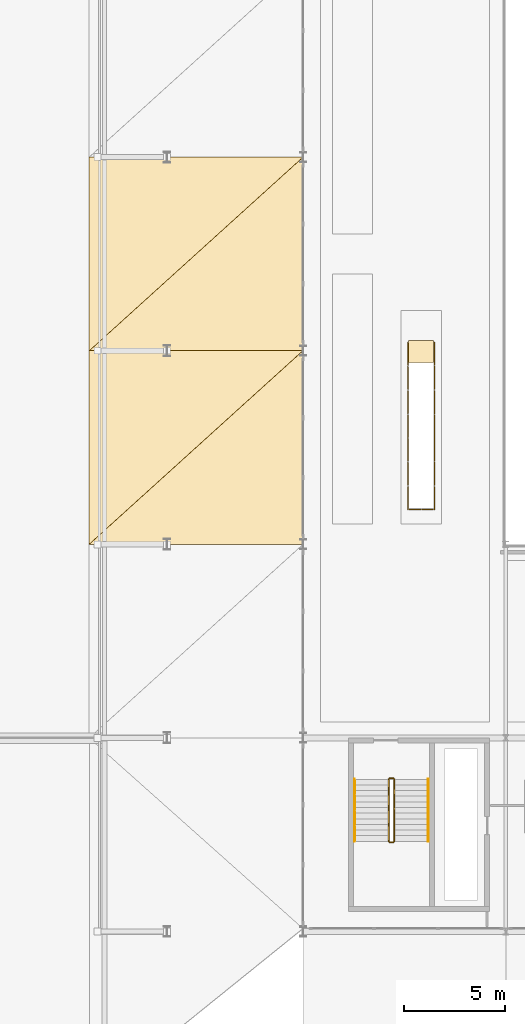
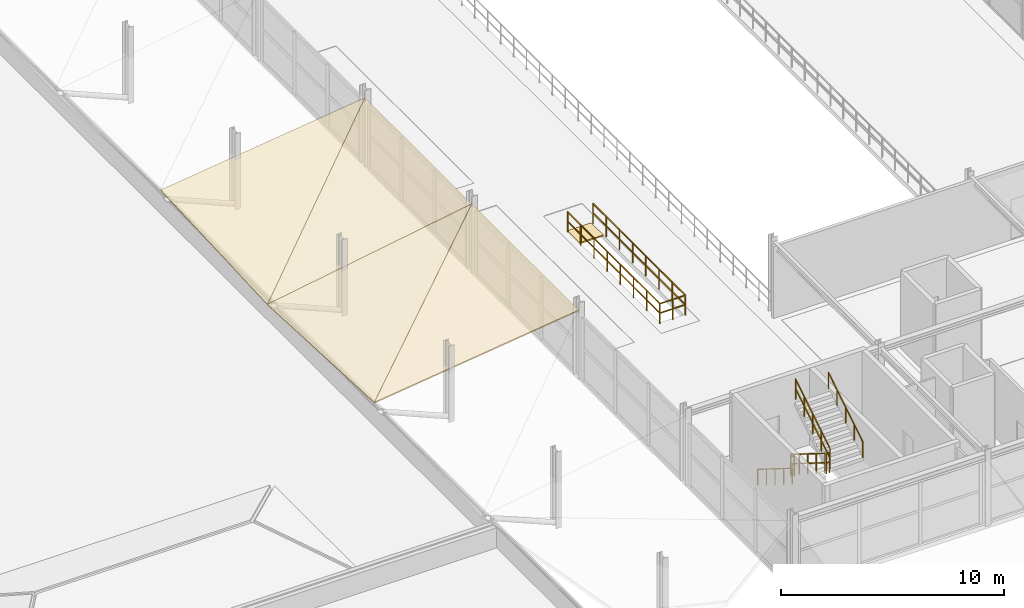
# One storey, part 66 of 81: 7 railings, 5 coverings.
"""IFC4 building model written with IfcOpenShell, lengths in metres."""

from ifc_helpers import new_model, si_unit, direction, frame, origin, origin_2d, place, context, subcontext, project, spatial, polyline, rectangle, outline, extrude, material, layer, layer_set, type_object, element, save


model = new_model("IFC4")

# Units and contexts
model_context = context("Model", 3, precision=1e-05, world=origin(), true_north=direction((0.0, 1.0)))
body_context = subcontext(model_context, "Body", "Model", "MODEL_VIEW")
ifc_project = project(units=[si_unit("LENGTHUNIT", "METRE"), si_unit("AREAUNIT", "SQUARE_METRE"), si_unit("VOLUMEUNIT", "CUBIC_METRE"), si_unit("PLANEANGLEUNIT", "RADIAN"), si_unit("MASSUNIT", "GRAM", prefix="KILO")], contexts=[model_context])

# Site, building, storey
site_placement = place(None, origin())
site = spatial("IfcSite", under=ifc_project, at=site_placement, CompositionType="ELEMENT")
building_placement = place(site_placement, origin())
building = spatial("IfcBuilding", under=site, at=building_placement, Name="Myrtia Square Station", CompositionType="ELEMENT")
storey_placement = place(building_placement, frame((0.0, 0.0, 10.800048828125)))
storey = spatial("IfcBuildingStorey", under=building, at=storey_placement, Name="L02", CompositionType="ELEMENT", Elevation=10.800048828125)

# Coverings
ifc_material_1 = material(Name="Terrazzo stone tile", Category="masonry")
ifc_layer_1 = layer(ifc_material_1, 0.02490234375, Name="Terrazzo stone tile")
ifc_layer_set_1 = layer_set([ifc_layer_1], Name="Terrazzo stone tile")
covering_type_1 = type_object("IfcCoveringType", Name="COV-FLR-TERRAZZO", PredefinedType="FLOORING", material=ifc_layer_set_1)
covering_1_placement = place(storey_placement, frame((0.0, 0.0, -0.080078125)))
element("IfcCovering", 1, at=covering_1_placement, inside=storey, type_object=covering_type_1, Name="Escalator ESC-07 upper comb landing", PredefinedType="FLOORING", context=body_context, shape_type="SweptSolid", body=[
    extrude(outline(polyline([(84.580078125, 57.010009765625), (85.820068359375, 57.010009765625), (85.820068359375, 58.110107421875), (84.580078125, 58.110107421875), (84.580078125, 57.010009765625)])), origin(), (0.0, 0.0, 1.0), 0.080078125),
])
ifc_material_2 = material(Name="Terracotta clay barrel tiles", Category="masonry")
ifc_layer_2 = layer(ifc_material_2, 0.06494140625, Name="Terracotta clay barrel tiles")
ifc_layer_set_2 = layer_set([ifc_layer_2], Name="Terracotta clay barrel tiles")
covering_type_2 = type_object("IfcCoveringType", Name="COV-TILE-TERRACOTTA", PredefinedType="ROOFING", material=ifc_layer_set_2)
covering_2_placement = place(storey_placement, frame((68.74169921875, 48.0, 2.264404296875), z_axis=(-0.126345846916, 0.0, 0.991986253416), x_axis=(0.991986253416, 0.0, 0.126345846916)))
element("IfcCovering", 2, at=covering_2_placement, inside=storey, type_object=covering_type_2, Name="Terracotta clay barrel-tile roofing 067", PredefinedType="ROOFING", context=body_context, shape_type="SweptSolid", body=[
    extrude(outline(polyline([(0.0, 0.0), (10.685730391669466, 0.0), (10.685730391669466, 9.60009765625), (0.0, 0.0)])), origin(), (0.0, 0.0, -1.0), 0.06494140625),
])
covering_3_placement = place(storey_placement, frame((68.739013671875, 48.0029296875, 2.263916015625), z_axis=(-0.167239167599, 0.046158672903, 0.984835233801), x_axis=(0.737923078254, 0.668308334863, 0.093986701892)))
element("IfcCovering", 3, at=covering_3_placement, inside=storey, type_object=covering_type_2, Name="Terracotta clay barrel-tile roofing 068", PredefinedType="ROOFING", context=body_context, shape_type="SweptSolid", body=[
    extrude(outline(polyline([(0.0, 0.0), (14.36477319740849, 1.3877787807814457e-16), (6.373535852517218, 7.193217069106568), (0.0, 0.0)])), origin(), (0.0, 0.0, -1.0), 0.06494140625),
])
covering_4_placement = place(storey_placement, frame((68.739013671875, 57.60009765625, 1.81396484375), z_axis=(-0.167417614618, 0.0, 0.985886069643), x_axis=(0.985886069643, 0.0, 0.167417614618)))
element("IfcCovering", 4, at=covering_4_placement, inside=storey, type_object=covering_type_2, Name="Terracotta clay barrel-tile roofing 069", PredefinedType="ROOFING", context=body_context, shape_type="SweptSolid", body=[
    extrude(outline(polyline([(0.0, 0.0), (10.751848497150197, 0.0), (10.751848497150197, 9.599853515625), (0.0, 0.0)])), origin(), (0.0, 0.0, -1.0), 0.06494140625),
])
covering_5_placement = place(storey_placement, frame((68.74169921875, 57.596923828125, 1.814453125), z_axis=(-0.126187049213, -0.046443799932, 0.990918665713), x_axis=(0.735403189854, 0.666026169594, 0.124865086268)))
element("IfcCovering", 5, at=covering_5_placement, inside=storey, type_object=covering_type_2, Name="Terracotta clay barrel-tile roofing 070", PredefinedType="ROOFING", context=body_context, shape_type="SweptSolid", body=[
    extrude(outline(polyline([(0.0, 0.0), (14.413994666459416, 1.3877787807814457e-17), (6.450099461613067, 7.1246437105238645), (0.0, 0.0)])), origin(), (0.0, 0.0, -1.0), 0.06494140625),
])

# Railings
ifc_material_3 = material(Name="Dark bronze anodised aluminium", Category="aluminium")
railing_type_1 = type_object("IfcRailingType", Name="RL-HANDRAIL-900", PredefinedType="HANDRAIL", material=ifc_material_3)
railing_1_placement = place(storey_placement, frame((81.89990234375, 36.35009765625, 0.175048828125)))
element("IfcRailing", 6, at=railing_1_placement, inside=storey, type_object=railing_type_1, Name="L02 ST01 stair handrail 1", PredefinedType="HANDRAIL", context=body_context, shape_type="SweptSolid", body=[
    extrude(rectangle(XDim=0.048095703125, YDim=0.048095703125, at=origin_2d()), frame((0.0, -0.029296875, 0.894287109375), z_axis=(0.0, -0.848028513186, 0.529950602248), x_axis=(1.0, 0.0, 0.0)), (0.0, 0.0, 1.0), 0.838623046875),
    extrude(rectangle(XDim=0.048095703125, YDim=0.048095703125, at=origin_2d()), frame((0.0, -0.79931640625, 1.37548828125), z_axis=(0.0, -0.848028513186, 0.529950602248), x_axis=(1.0, 0.0, 0.0)), (0.0, 0.0, 1.0), 0.838623046875),
    extrude(rectangle(XDim=0.048095703125, YDim=0.048095703125, at=origin_2d()), frame((0.0, -1.5693359375, 1.856689453125), z_axis=(0.0, -0.848028513186, 0.529950602248), x_axis=(1.0, 0.0, 0.0)), (0.0, 0.0, 1.0), 0.838623046875),
    extrude(rectangle(XDim=0.048095703125, YDim=0.048095703125, at=origin_2d()), frame((0.0, -2.33935546875, 2.337890625), z_axis=(0.0, -0.848028513186, 0.529950602248), x_axis=(1.0, 0.0, 0.0)), (0.0, 0.0, 1.0), 0.838623046875),
    extrude(rectangle(XDim=0.0439453125, YDim=0.0439453125, at=origin_2d()), origin(), (0.0, 0.0, 1.0), 0.89990234375),
    extrude(rectangle(XDim=0.0439453125, YDim=0.0439453125, at=origin_2d()), frame((0.0, -0.77001953125, 0.481201171875)), (0.0, 0.0, 1.0), 0.89990234375),
    extrude(rectangle(XDim=0.0439453125, YDim=0.0439453125, at=origin_2d()), frame((0.0, -1.5400390625, 0.96240234375)), (0.0, 0.0, 1.0), 0.89990234375),
    extrude(rectangle(XDim=0.0439453125, YDim=0.0439453125, at=origin_2d()), frame((0.0, -2.31005859375, 1.443603515625)), (0.0, 0.0, 1.0), 0.89990234375),
    extrude(rectangle(XDim=0.0439453125, YDim=0.0439453125, at=origin_2d()), frame((0.0, -3.080078125, 1.9248046875)), (0.0, 0.0, 1.0), 0.89990234375),
])
railing_2_placement = place(storey_placement, frame((85.56005859375, 33.27001953125, 2.27490234375)))
element("IfcRailing", 7, at=railing_2_placement, inside=storey, type_object=railing_type_1, Name="L02 ST01 stair handrail 2", PredefinedType="HANDRAIL", context=body_context, shape_type="SweptSolid", body=[
    extrude(rectangle(XDim=0.048095703125, YDim=0.048095703125, at=origin_2d()), frame((0.0, 0.029296875, 0.894287109375), z_axis=(0.0, 0.847998304005, 0.529998940003), x_axis=(-1.0, 0.0, 0.0)), (0.0, 0.0, 1.0), 0.8388671875),
    extrude(rectangle(XDim=0.048095703125, YDim=0.048095703125, at=origin_2d()), frame((0.0, 0.79931640625, 1.37548828125), z_axis=(0.0, 0.847998304005, 0.529998940003), x_axis=(-1.0, 0.0, 0.0)), (0.0, 0.0, 1.0), 0.8388671875),
    extrude(rectangle(XDim=0.048095703125, YDim=0.048095703125, at=origin_2d()), frame((0.0, 1.5693359375, 1.856689453125), z_axis=(0.0, 0.847998304005, 0.529998940003), x_axis=(-1.0, 0.0, 0.0)), (0.0, 0.0, 1.0), 0.8388671875),
    extrude(rectangle(XDim=0.048095703125, YDim=0.048095703125, at=origin_2d()), frame((0.0, 2.33935546875, 2.337890625), z_axis=(0.0, 0.847998304005, 0.529998940003), x_axis=(-1.0, 0.0, 0.0)), (0.0, 0.0, 1.0), 0.8388671875),
    extrude(rectangle(XDim=0.0439453125, YDim=0.0439453125, at=origin_2d()), origin(), (0.0, 0.0, 1.0), 0.89990234375),
    extrude(rectangle(XDim=0.0439453125, YDim=0.0439453125, at=origin_2d()), frame((0.0, 0.77001953125, 0.481201171875)), (0.0, 0.0, 1.0), 0.89990234375),
    extrude(rectangle(XDim=0.0439453125, YDim=0.0439453125, at=origin_2d()), frame((0.0, 1.5400390625, 0.96240234375)), (0.0, 0.0, 1.0), 0.89990234375),
    extrude(rectangle(XDim=0.0439453125, YDim=0.0439453125, at=origin_2d()), frame((0.0, 2.31005859375, 1.44384765625)), (0.0, 0.0, 1.0), 0.89990234375),
    extrude(rectangle(XDim=0.0439453125, YDim=0.0439453125, at=origin_2d()), frame((0.0, 3.080078125, 1.925048828125)), (0.0, 0.0, 1.0), 0.89990234375),
])
ifc_material_4 = material(Name="Wrought iron", Category="steel")
railing_type_2 = type_object("IfcRailingType", Name="RL-INT-GUARD-1100", PredefinedType="BALUSTRADE", material=ifc_material_4)
railing_3_placement = place(storey_placement, frame((83.60009765625, 36.35009765625, 0.175048828125)))
element("IfcRailing", 8, at=railing_3_placement, inside=storey, type_object=railing_type_2, Name="L02 ST01 stair guard 1", PredefinedType="BALUSTRADE", context=body_context, shape_type="SweptSolid", body=[
    extrude(rectangle(XDim=0.048095703125, YDim=0.048095703125, at=origin_2d()), frame((0.0, -0.029296875, 1.114501953125), z_axis=(0.0, -0.848028513186, 0.529950602248), x_axis=(1.0, 0.0, 0.0)), (0.0, 0.0, 1.0), 0.838623046875),
    extrude(rectangle(XDim=0.048095703125, YDim=0.048095703125, at=origin_2d()), frame((0.0, -0.029296875, 0.600830078125), z_axis=(0.0, -0.848028513186, 0.529950602248), x_axis=(1.0, 0.0, 0.0)), (0.0, 0.0, 1.0), 0.838623046875),
    extrude(rectangle(XDim=0.048095703125, YDim=0.048095703125, at=origin_2d()), frame((0.0, -0.79931640625, 1.595703125), z_axis=(0.0, -0.848028513186, 0.529950602248), x_axis=(1.0, 0.0, 0.0)), (0.0, 0.0, 1.0), 0.838623046875),
    extrude(rectangle(XDim=0.048095703125, YDim=0.048095703125, at=origin_2d()), frame((0.0, -0.79931640625, 1.08203125), z_axis=(0.0, -0.848028513186, 0.529950602248), x_axis=(1.0, 0.0, 0.0)), (0.0, 0.0, 1.0), 0.838623046875),
    extrude(rectangle(XDim=0.048095703125, YDim=0.048095703125, at=origin_2d()), frame((0.0, -1.5693359375, 2.076904296875), z_axis=(0.0, -0.848028513186, 0.529950602248), x_axis=(1.0, 0.0, 0.0)), (0.0, 0.0, 1.0), 0.838623046875),
    extrude(rectangle(XDim=0.048095703125, YDim=0.048095703125, at=origin_2d()), frame((0.0, -1.5693359375, 1.563232421875), z_axis=(0.0, -0.848028513186, 0.529950602248), x_axis=(1.0, 0.0, 0.0)), (0.0, 0.0, 1.0), 0.838623046875),
    extrude(rectangle(XDim=0.048095703125, YDim=0.048095703125, at=origin_2d()), frame((0.0, -2.33935546875, 2.55810546875), z_axis=(0.0, -0.848028513186, 0.529950602248), x_axis=(1.0, 0.0, 0.0)), (0.0, 0.0, 1.0), 0.838623046875),
    extrude(rectangle(XDim=0.048095703125, YDim=0.048095703125, at=origin_2d()), frame((0.0, -2.33935546875, 2.04443359375), z_axis=(0.0, -0.848028513186, 0.529950602248), x_axis=(1.0, 0.0, 0.0)), (0.0, 0.0, 1.0), 0.838623046875),
    extrude(rectangle(XDim=0.0439453125, YDim=0.0439453125, at=origin_2d()), origin(), (0.0, 0.0, 1.0), 1.1201171875),
    extrude(rectangle(XDim=0.0439453125, YDim=0.0439453125, at=origin_2d()), frame((0.0, -0.77001953125, 0.481201171875)), (0.0, 0.0, 1.0), 1.1201171875),
    extrude(rectangle(XDim=0.0439453125, YDim=0.0439453125, at=origin_2d()), frame((0.0, -1.5400390625, 0.96240234375)), (0.0, 0.0, 1.0), 1.1201171875),
    extrude(rectangle(XDim=0.0439453125, YDim=0.0439453125, at=origin_2d()), frame((0.0, -2.31005859375, 1.443603515625)), (0.0, 0.0, 1.0), 1.1201171875),
    extrude(rectangle(XDim=0.0439453125, YDim=0.0439453125, at=origin_2d()), frame((0.0, -3.080078125, 1.9248046875)), (0.0, 0.0, 1.0), 1.1201171875),
])
railing_4_placement = place(storey_placement, frame((83.64990234375, 33.219970703125, 2.099853515625)))
element("IfcRailing", 9, at=railing_4_placement, inside=storey, type_object=railing_type_2, Name="L02 ST01 stair guard 2", PredefinedType="BALUSTRADE", context=body_context, shape_type="SweptSolid", body=[
    extrude(rectangle(XDim=0.048095703125, YDim=0.048095703125, at=origin_2d()), frame((0.03466796875, 0.0, 1.09619140625), z_axis=(1.0, 0.0, 0.0), x_axis=(0.0, 1.0, 0.0)), (0.0, 0.0, 1.0), 0.0908203125),
    extrude(rectangle(XDim=0.048095703125, YDim=0.048095703125, at=origin_2d()), frame((0.03466796875, 0.0, 0.58251953125), z_axis=(1.0, 0.0, 0.0), x_axis=(0.0, 1.0, 0.0)), (0.0, 0.0, 1.0), 0.0908203125),
    extrude(rectangle(XDim=0.0439453125, YDim=0.0439453125, at=origin_2d()), origin(), (0.0, 0.0, 1.0), 1.1201171875),
    extrude(rectangle(XDim=0.0439453125, YDim=0.0439453125, at=origin_2d()), frame((0.16015625, 0.0, 0.0)), (0.0, 0.0, 1.0), 1.1201171875),
])
railing_5_placement = place(storey_placement, frame((83.860107421875, 33.27001953125, 2.27490234375)))
element("IfcRailing", 10, at=railing_5_placement, inside=storey, type_object=railing_type_2, Name="L02 ST01 stair guard 3", PredefinedType="BALUSTRADE", context=body_context, shape_type="SweptSolid", body=[
    extrude(rectangle(XDim=0.048095703125, YDim=0.048095703125, at=origin_2d()), frame((0.0, 0.029296875, 1.114501953125), z_axis=(0.0, 0.847998304005, 0.529998940003), x_axis=(-1.0, 0.0, 0.0)), (0.0, 0.0, 1.0), 0.8388671875),
    extrude(rectangle(XDim=0.048095703125, YDim=0.048095703125, at=origin_2d()), frame((0.0, 0.029296875, 0.600830078125), z_axis=(0.0, 0.847998304005, 0.529998940003), x_axis=(-1.0, 0.0, 0.0)), (0.0, 0.0, 1.0), 0.8388671875),
    extrude(rectangle(XDim=0.048095703125, YDim=0.048095703125, at=origin_2d()), frame((0.0, 0.79931640625, 1.595703125), z_axis=(0.0, 0.847998304005, 0.529998940003), x_axis=(-1.0, 0.0, 0.0)), (0.0, 0.0, 1.0), 0.8388671875),
    extrude(rectangle(XDim=0.048095703125, YDim=0.048095703125, at=origin_2d()), frame((0.0, 0.79931640625, 1.08203125), z_axis=(0.0, 0.847998304005, 0.529998940003), x_axis=(-1.0, 0.0, 0.0)), (0.0, 0.0, 1.0), 0.8388671875),
    extrude(rectangle(XDim=0.048095703125, YDim=0.048095703125, at=origin_2d()), frame((0.0, 1.5693359375, 2.076904296875), z_axis=(0.0, 0.847998304005, 0.529998940003), x_axis=(-1.0, 0.0, 0.0)), (0.0, 0.0, 1.0), 0.8388671875),
    extrude(rectangle(XDim=0.048095703125, YDim=0.048095703125, at=origin_2d()), frame((0.0, 1.5693359375, 1.563232421875), z_axis=(0.0, 0.847998304005, 0.529998940003), x_axis=(-1.0, 0.0, 0.0)), (0.0, 0.0, 1.0), 0.8388671875),
    extrude(rectangle(XDim=0.048095703125, YDim=0.048095703125, at=origin_2d()), frame((0.0, 2.33935546875, 2.55810546875), z_axis=(0.0, 0.847998304005, 0.529998940003), x_axis=(-1.0, 0.0, 0.0)), (0.0, 0.0, 1.0), 0.8388671875),
    extrude(rectangle(XDim=0.048095703125, YDim=0.048095703125, at=origin_2d()), frame((0.0, 2.33935546875, 2.044677734375), z_axis=(0.0, 0.847998304005, 0.529998940003), x_axis=(-1.0, 0.0, 0.0)), (0.0, 0.0, 1.0), 0.8388671875),
    extrude(rectangle(XDim=0.0439453125, YDim=0.0439453125, at=origin_2d()), origin(), (0.0, 0.0, 1.0), 1.1201171875),
    extrude(rectangle(XDim=0.0439453125, YDim=0.0439453125, at=origin_2d()), frame((0.0, 0.77001953125, 0.481201171875)), (0.0, 0.0, 1.0), 1.1201171875),
    extrude(rectangle(XDim=0.0439453125, YDim=0.0439453125, at=origin_2d()), frame((0.0, 1.5400390625, 0.96240234375)), (0.0, 0.0, 1.0), 1.1201171875),
    extrude(rectangle(XDim=0.0439453125, YDim=0.0439453125, at=origin_2d()), frame((0.0, 2.31005859375, 1.44384765625)), (0.0, 0.0, 1.0), 1.1201171875),
    extrude(rectangle(XDim=0.0439453125, YDim=0.0439453125, at=origin_2d()), frame((0.0, 3.080078125, 1.925048828125)), (0.0, 0.0, 1.0), 1.1201171875),
])
railing_6_placement = place(storey_placement, frame((83.64990234375, 36.39990234375, 0.0)))
element("IfcRailing", 11, at=railing_6_placement, inside=storey, type_object=railing_type_2, Name="L02 ST01 stair guard 4", PredefinedType="BALUSTRADE", context=body_context, shape_type="SweptSolid", body=[
    extrude(rectangle(XDim=0.048095703125, YDim=0.048095703125, at=origin_2d()), frame((0.03466796875, 0.0, 1.09619140625), z_axis=(1.0, 0.0, 0.0), x_axis=(0.0, 1.0, 0.0)), (0.0, 0.0, 1.0), 0.0908203125),
    extrude(rectangle(XDim=0.048095703125, YDim=0.048095703125, at=origin_2d()), frame((0.03466796875, 0.0, 0.58251953125), z_axis=(1.0, 0.0, 0.0), x_axis=(0.0, 1.0, 0.0)), (0.0, 0.0, 1.0), 0.0908203125),
    extrude(rectangle(XDim=0.0439453125, YDim=0.0439453125, at=origin_2d()), origin(), (0.0, 0.0, 1.0), 1.1201171875),
    extrude(rectangle(XDim=0.0439453125, YDim=0.0439453125, at=origin_2d()), frame((0.16015625, 0.0, 0.0)), (0.0, 0.0, 1.0), 1.1201171875),
])
railing_7_placement = place(storey_placement, frame((84.5400390625, 58.010009765625, 0.0)))
element("IfcRailing", 12, at=railing_7_placement, inside=storey, type_object=railing_type_2, Name="Escalator ESC-07 upper well guard", PredefinedType="BALUSTRADE", context=body_context, shape_type="SweptSolid", body=[
    extrude(rectangle(XDim=0.048095703125, YDim=0.048095703125, at=origin_2d()), frame((0.0, -0.03466796875, 1.09619140625), z_axis=(0.0, -1.0, 0.0), x_axis=(1.0, 0.0, 0.0)), (0.0, 0.0, 1.0), 1.114990234375),
    extrude(rectangle(XDim=0.048095703125, YDim=0.048095703125, at=origin_2d()), frame((0.0, -0.03466796875, 0.58251953125), z_axis=(0.0, -1.0, 0.0), x_axis=(1.0, 0.0, 0.0)), (0.0, 0.0, 1.0), 1.114990234375),
    extrude(rectangle(XDim=0.048095703125, YDim=0.048095703125, at=origin_2d()), frame((0.0, -1.218994140625, 1.09619140625), z_axis=(0.0, -1.0, 0.0), x_axis=(1.0, 0.0, 0.0)), (0.0, 0.0, 1.0), 1.114990234375),
    extrude(rectangle(XDim=0.048095703125, YDim=0.048095703125, at=origin_2d()), frame((0.0, -1.218994140625, 0.58251953125), z_axis=(0.0, -1.0, 0.0), x_axis=(1.0, 0.0, 0.0)), (0.0, 0.0, 1.0), 1.114990234375),
    extrude(rectangle(XDim=0.048095703125, YDim=0.048095703125, at=origin_2d()), frame((0.0, -2.4033203125, 1.09619140625), z_axis=(0.0, -1.0, 0.0), x_axis=(1.0, 0.0, 0.0)), (0.0, 0.0, 1.0), 1.114990234375),
    extrude(rectangle(XDim=0.048095703125, YDim=0.048095703125, at=origin_2d()), frame((0.0, -2.4033203125, 0.58251953125), z_axis=(0.0, -1.0, 0.0), x_axis=(1.0, 0.0, 0.0)), (0.0, 0.0, 1.0), 1.114990234375),
    extrude(rectangle(XDim=0.048095703125, YDim=0.048095703125, at=origin_2d()), frame((0.0, -3.58740234375, 1.09619140625), z_axis=(0.0, -1.0, 0.0), x_axis=(1.0, 0.0, 0.0)), (0.0, 0.0, 1.0), 1.114990234375),
    extrude(rectangle(XDim=0.048095703125, YDim=0.048095703125, at=origin_2d()), frame((0.0, -3.58740234375, 0.58251953125), z_axis=(0.0, -1.0, 0.0), x_axis=(1.0, 0.0, 0.0)), (0.0, 0.0, 1.0), 1.114990234375),
    extrude(rectangle(XDim=0.048095703125, YDim=0.048095703125, at=origin_2d()), frame((0.0, -4.771728515625, 1.09619140625), z_axis=(0.0, -1.0, 0.0), x_axis=(1.0, 0.0, 0.0)), (0.0, 0.0, 1.0), 1.114990234375),
    extrude(rectangle(XDim=0.048095703125, YDim=0.048095703125, at=origin_2d()), frame((0.0, -4.771728515625, 0.58251953125), z_axis=(0.0, -1.0, 0.0), x_axis=(1.0, 0.0, 0.0)), (0.0, 0.0, 1.0), 1.114990234375),
    extrude(rectangle(XDim=0.048095703125, YDim=0.048095703125, at=origin_2d()), frame((0.0, -5.9560546875, 1.09619140625), z_axis=(0.0, -1.0, 0.0), x_axis=(1.0, 0.0, 0.0)), (0.0, 0.0, 1.0), 1.114990234375),
    extrude(rectangle(XDim=0.048095703125, YDim=0.048095703125, at=origin_2d()), frame((0.0, -5.9560546875, 0.58251953125), z_axis=(0.0, -1.0, 0.0), x_axis=(1.0, 0.0, 0.0)), (0.0, 0.0, 1.0), 1.114990234375),
    extrude(rectangle(XDim=0.048095703125, YDim=0.048095703125, at=origin_2d()), frame((0.0, -7.140380859375, 1.09619140625), z_axis=(0.0, -1.0, 0.0), x_axis=(1.0, 0.0, 0.0)), (0.0, 0.0, 1.0), 1.114990234375),
    extrude(rectangle(XDim=0.048095703125, YDim=0.048095703125, at=origin_2d()), frame((0.0, -7.140380859375, 0.58251953125), z_axis=(0.0, -1.0, 0.0), x_axis=(1.0, 0.0, 0.0)), (0.0, 0.0, 1.0), 1.114990234375),
    extrude(rectangle(XDim=0.048095703125, YDim=0.048095703125, at=origin_2d()), frame((0.03466796875, -8.2900390625, 1.09619140625), z_axis=(1.0, 0.0, 0.0), x_axis=(0.0, 1.0, 0.0)), (0.0, 0.0, 1.0), 0.5908203125),
    extrude(rectangle(XDim=0.048095703125, YDim=0.048095703125, at=origin_2d()), frame((0.03466796875, -8.2900390625, 0.58251953125), z_axis=(1.0, 0.0, 0.0), x_axis=(0.0, 1.0, 0.0)), (0.0, 0.0, 1.0), 0.5908203125),
    extrude(rectangle(XDim=0.048095703125, YDim=0.048095703125, at=origin_2d()), frame((0.694580078125, -8.2900390625, 1.09619140625), z_axis=(1.0, 0.0, 0.0), x_axis=(0.0, 1.0, 0.0)), (0.0, 0.0, 1.0), 0.5908203125),
    extrude(rectangle(XDim=0.048095703125, YDim=0.048095703125, at=origin_2d()), frame((0.694580078125, -8.2900390625, 0.58251953125), z_axis=(1.0, 0.0, 0.0), x_axis=(0.0, 1.0, 0.0)), (0.0, 0.0, 1.0), 0.5908203125),
    extrude(rectangle(XDim=0.048095703125, YDim=0.048095703125, at=origin_2d()), frame((1.320068359375, -8.25537109375, 1.09619140625), z_axis=(0.0, 1.0, 0.0), x_axis=(-1.0, 0.0, 0.0)), (0.0, 0.0, 1.0), 1.114990234375),
    extrude(rectangle(XDim=0.048095703125, YDim=0.048095703125, at=origin_2d()), frame((1.320068359375, -8.25537109375, 0.58251953125), z_axis=(0.0, 1.0, 0.0), x_axis=(-1.0, 0.0, 0.0)), (0.0, 0.0, 1.0), 1.114990234375),
    extrude(rectangle(XDim=0.048095703125, YDim=0.048095703125, at=origin_2d()), frame((1.320068359375, -7.071044921875, 1.09619140625), z_axis=(0.0, 1.0, 0.0), x_axis=(-1.0, 0.0, 0.0)), (0.0, 0.0, 1.0), 1.114990234375),
    extrude(rectangle(XDim=0.048095703125, YDim=0.048095703125, at=origin_2d()), frame((1.320068359375, -7.071044921875, 0.58251953125), z_axis=(0.0, 1.0, 0.0), x_axis=(-1.0, 0.0, 0.0)), (0.0, 0.0, 1.0), 1.114990234375),
    extrude(rectangle(XDim=0.048095703125, YDim=0.048095703125, at=origin_2d()), frame((1.320068359375, -5.88671875, 1.09619140625), z_axis=(0.0, 1.0, 0.0), x_axis=(-1.0, 0.0, 0.0)), (0.0, 0.0, 1.0), 1.114990234375),
    extrude(rectangle(XDim=0.048095703125, YDim=0.048095703125, at=origin_2d()), frame((1.320068359375, -5.88671875, 0.58251953125), z_axis=(0.0, 1.0, 0.0), x_axis=(-1.0, 0.0, 0.0)), (0.0, 0.0, 1.0), 1.114990234375),
    extrude(rectangle(XDim=0.048095703125, YDim=0.048095703125, at=origin_2d()), frame((1.320068359375, -4.70263671875, 1.09619140625), z_axis=(0.0, 1.0, 0.0), x_axis=(-1.0, 0.0, 0.0)), (0.0, 0.0, 1.0), 1.114990234375),
    extrude(rectangle(XDim=0.048095703125, YDim=0.048095703125, at=origin_2d()), frame((1.320068359375, -4.70263671875, 0.58251953125), z_axis=(0.0, 1.0, 0.0), x_axis=(-1.0, 0.0, 0.0)), (0.0, 0.0, 1.0), 1.114990234375),
    extrude(rectangle(XDim=0.048095703125, YDim=0.048095703125, at=origin_2d()), frame((1.320068359375, -3.518310546875, 1.09619140625), z_axis=(0.0, 1.0, 0.0), x_axis=(-1.0, 0.0, 0.0)), (0.0, 0.0, 1.0), 1.114990234375),
    extrude(rectangle(XDim=0.048095703125, YDim=0.048095703125, at=origin_2d()), frame((1.320068359375, -3.518310546875, 0.58251953125), z_axis=(0.0, 1.0, 0.0), x_axis=(-1.0, 0.0, 0.0)), (0.0, 0.0, 1.0), 1.114990234375),
    extrude(rectangle(XDim=0.048095703125, YDim=0.048095703125, at=origin_2d()), frame((1.320068359375, -2.333984375, 1.09619140625), z_axis=(0.0, 1.0, 0.0), x_axis=(-1.0, 0.0, 0.0)), (0.0, 0.0, 1.0), 1.114990234375),
    extrude(rectangle(XDim=0.048095703125, YDim=0.048095703125, at=origin_2d()), frame((1.320068359375, -2.333984375, 0.58251953125), z_axis=(0.0, 1.0, 0.0), x_axis=(-1.0, 0.0, 0.0)), (0.0, 0.0, 1.0), 1.114990234375),
    extrude(rectangle(XDim=0.048095703125, YDim=0.048095703125, at=origin_2d()), frame((1.320068359375, -1.149658203125, 1.09619140625), z_axis=(0.0, 1.0, 0.0), x_axis=(-1.0, 0.0, 0.0)), (0.0, 0.0, 1.0), 1.114990234375),
    extrude(rectangle(XDim=0.048095703125, YDim=0.048095703125, at=origin_2d()), frame((1.320068359375, -1.149658203125, 0.58251953125), z_axis=(0.0, 1.0, 0.0), x_axis=(-1.0, 0.0, 0.0)), (0.0, 0.0, 1.0), 1.114990234375),
    extrude(rectangle(XDim=0.0439453125, YDim=0.0439453125, at=origin_2d()), origin(), (0.0, 0.0, 1.0), 1.1201171875),
    extrude(rectangle(XDim=0.0439453125, YDim=0.0439453125, at=origin_2d()), frame((0.0, -1.184326171875, 0.0)), (0.0, 0.0, 1.0), 1.1201171875),
    extrude(rectangle(XDim=0.0439453125, YDim=0.0439453125, at=origin_2d()), frame((0.0, -2.36865234375, 0.0)), (0.0, 0.0, 1.0), 1.1201171875),
    extrude(rectangle(XDim=0.0439453125, YDim=0.0439453125, at=origin_2d()), frame((0.0, -3.552978515625, 0.0)), (0.0, 0.0, 1.0), 1.1201171875),
    extrude(rectangle(XDim=0.0439453125, YDim=0.0439453125, at=origin_2d()), frame((0.0, -4.737060546875, 0.0)), (0.0, 0.0, 1.0), 1.1201171875),
    extrude(rectangle(XDim=0.0439453125, YDim=0.0439453125, at=origin_2d()), frame((0.0, -5.92138671875, 0.0)), (0.0, 0.0, 1.0), 1.1201171875),
    extrude(rectangle(XDim=0.0439453125, YDim=0.0439453125, at=origin_2d()), frame((0.0, -7.105712890625, 0.0)), (0.0, 0.0, 1.0), 1.1201171875),
    extrude(rectangle(XDim=0.0439453125, YDim=0.0439453125, at=origin_2d()), frame((0.0, -8.2900390625, 0.0)), (0.0, 0.0, 1.0), 1.1201171875),
    extrude(rectangle(XDim=0.0439453125, YDim=0.0439453125, at=origin_2d()), frame((0.66015625, -8.2900390625, 0.0)), (0.0, 0.0, 1.0), 1.1201171875),
    extrude(rectangle(XDim=0.0439453125, YDim=0.0439453125, at=origin_2d()), frame((1.320068359375, -8.2900390625, 0.0)), (0.0, 0.0, 1.0), 1.1201171875),
    extrude(rectangle(XDim=0.0439453125, YDim=0.0439453125, at=origin_2d()), frame((1.320068359375, -7.105712890625, 0.0)), (0.0, 0.0, 1.0), 1.1201171875),
    extrude(rectangle(XDim=0.0439453125, YDim=0.0439453125, at=origin_2d()), frame((1.320068359375, -5.92138671875, 0.0)), (0.0, 0.0, 1.0), 1.1201171875),
    extrude(rectangle(XDim=0.0439453125, YDim=0.0439453125, at=origin_2d()), frame((1.320068359375, -4.737060546875, 0.0)), (0.0, 0.0, 1.0), 1.1201171875),
    extrude(rectangle(XDim=0.0439453125, YDim=0.0439453125, at=origin_2d()), frame((1.320068359375, -3.552978515625, 0.0)), (0.0, 0.0, 1.0), 1.1201171875),
    extrude(rectangle(XDim=0.0439453125, YDim=0.0439453125, at=origin_2d()), frame((1.320068359375, -2.36865234375, 0.0)), (0.0, 0.0, 1.0), 1.1201171875),
    extrude(rectangle(XDim=0.0439453125, YDim=0.0439453125, at=origin_2d()), frame((1.320068359375, -1.184326171875, 0.0)), (0.0, 0.0, 1.0), 1.1201171875),
    extrude(rectangle(XDim=0.0439453125, YDim=0.0439453125, at=origin_2d()), frame((1.320068359375, 0.0, 0.0)), (0.0, 0.0, 1.0), 1.1201171875),
])

save(model, "model.ifc")
